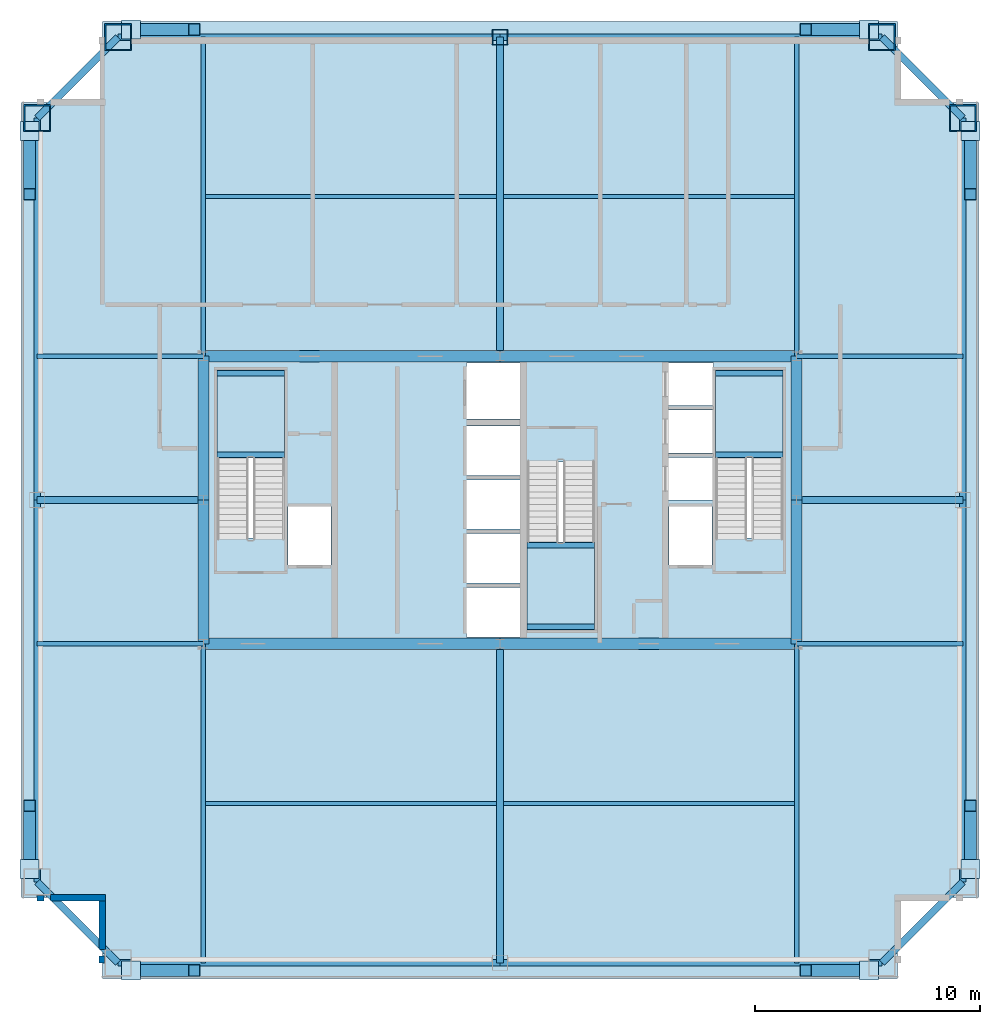
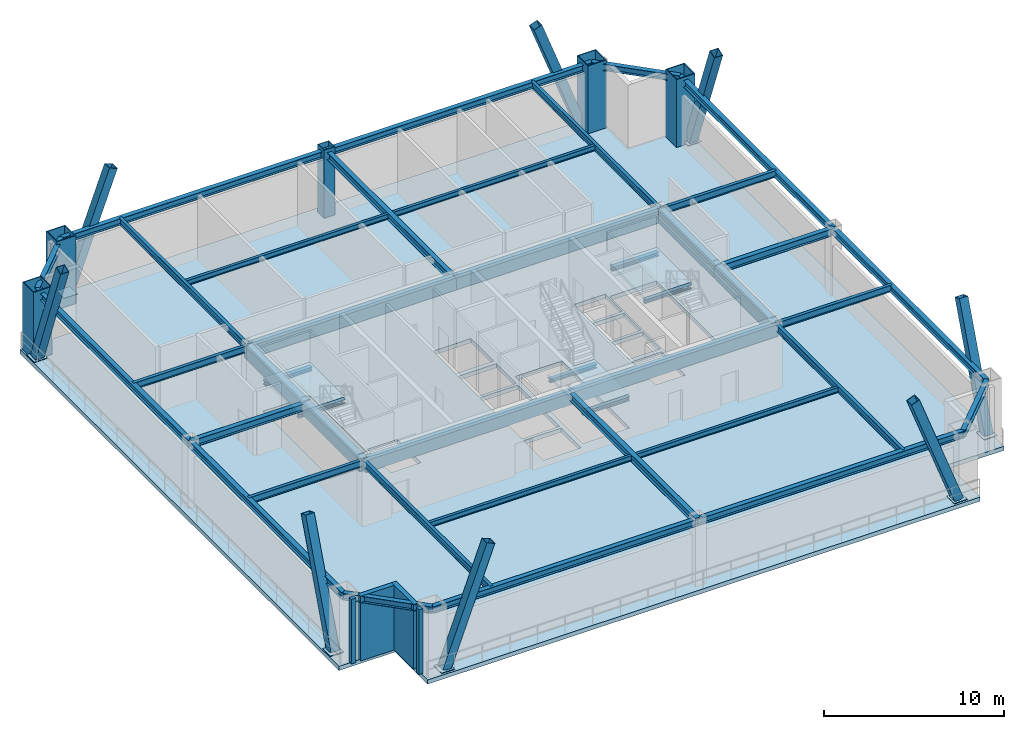
# One storey, part 2 of 8: 42 beams, 8 members, 8 plates, 5 columns, 4 slabs, 4 walls, 3 elements without a shape of their own.
"""IFC4 building model written with IfcOpenShell, lengths in metres."""

from ifc_helpers import new_model, si_unit, direction, frame, frame_2d, origin, origin_2d, place, context, subcontext, project, spatial, polyline, rectangle, hollow_rectangle, i_section, outline, extrude, source, transform, mapped, material, layer, layer_set, material_profile, profile_set, type_object, element, aggregate, save


model = new_model("IFC4")

# Units and contexts
model_context = context("Model", 3, precision=1e-05, world=origin(), true_north=direction((0.0, 1.0)))
body_context = subcontext(model_context, "Body", "Model", "MODEL_VIEW")
ifc_project = project(units=[si_unit("LENGTHUNIT", "METRE"), si_unit("AREAUNIT", "SQUARE_METRE"), si_unit("VOLUMEUNIT", "CUBIC_METRE"), si_unit("PLANEANGLEUNIT", "RADIAN"), si_unit("MASSUNIT", "GRAM", prefix="KILO"), si_unit("THERMODYNAMICTEMPERATUREUNIT", "KELVIN"), si_unit("POWERUNIT", "WATT")], contexts=[model_context])

# Site, building, storey
site_placement = place(None, origin())
site = spatial("IfcSite", under=ifc_project, at=site_placement, CompositionType="ELEMENT")
building_placement = place(site_placement, origin())
building = spatial("IfcBuilding", under=site, at=building_placement, Name="Yuzanri Waterfront Tower", CompositionType="ELEMENT")
storey_placement = place(building_placement, frame((0.0, 0.0, 263.5)))
storey = spatial("IfcBuildingStorey", under=building, at=storey_placement, Name="L70", CompositionType="ELEMENT", Elevation=263.5)

# Columns
ifc_material_1 = material(Name="Steel Q390GJC", Category="steel")
ifc_material_profile_1 = material_profile(ifc_material_1, hollow_rectangle(XDim=1.199951171875, YDim=1.199951171875, WallThickness=0.054931640625, at=origin_2d()), Name="RHS 1200x1200x55")
ifc_profile_set_1 = profile_set([ifc_material_profile_1], Name="Steel Q390GJC")
column_type_1 = type_object("IfcColumnType", Name="Mega Column Q390GJC RHS 1200x1200x55", PredefinedType="COLUMN", material=ifc_profile_set_1)
shared_shape_1 = source(origin(), body_context, "Body", "SweptSolid", [
    extrude(hollow_rectangle(XDim=1.199951171875, YDim=1.199951171875, WallThickness=0.054931640625, at=origin_2d()), origin(), (0.0, 0.0, 1.0), 4.60009765625),
])
for number, where, z_axis, x_axis, name in (
    (1, (20.0, 46.39990234375, 0.0), (0.0, 0.0, 1.0), (1.0, 0.0, 0.0), "L70 Perimeter Mega Column N1"),
    (2, (54.0, 46.39990234375, 0.0), (0.0, 0.0, 1.0), (1.0, 0.0, 0.0), "L70 Perimeter Mega Column N3"),
    (3, (16.39990234375, 42.800048828125, 0.0), (0.0, 0.0, 1.0), (1.0, 0.0, 0.0), "L70 Perimeter Mega Column W3"),
    (4, (57.60009765625, 42.800048828125, 0.0), (0.0, 0.0, 1.0), (1.0, 0.0, 0.0), "L70 Perimeter Mega Column E3"),
):
    element("IfcColumn", number, at=place(storey_placement, frame(where, z_axis=z_axis, x_axis=x_axis)), inside=storey, type_object=column_type_1, Name=name, PredefinedType="COLUMN", context=body_context, shape_type="MappedRepresentation", body=[
        mapped(shared_shape_1, transform((0.0, 0.0, 0.0), scale=1.0)),
    ])
ifc_material_2 = material(Name="Steel Q355B", Category="steel")
ifc_material_profile_2 = material_profile(ifc_material_2, hollow_rectangle(XDim=0.699951171875, YDim=0.699951171875, WallThickness=0.031982421875, at=origin_2d()), Name="RHS 700x700x32")
ifc_profile_set_2 = profile_set([ifc_material_profile_2], Name="Steel Q355B")
column_type_2 = type_object("IfcColumnType", Name="Frame Column Q355B RHS 700x700x32", PredefinedType="COLUMN", material=ifc_profile_set_2)
shared_shape_2 = source(origin(), body_context, "Body", "SweptSolid", [
    extrude(hollow_rectangle(XDim=0.699951171875, YDim=0.699951171875, WallThickness=0.031982421875, at=origin_2d()), origin(), (0.0, 0.0, 1.0), 4.60009765625),
])
column_placement = place(storey_placement, frame((37.0, 46.39990234375, 0.0), z_axis=(0.0, 0.0, 1.0), x_axis=(1.0, 0.0, 0.0)))
element("IfcColumn", 5, at=column_placement, inside=storey, type_object=column_type_2, Name="L70 Perimeter Frame Column N2", PredefinedType="COLUMN", context=body_context, shape_type="MappedRepresentation", body=[
    mapped(shared_shape_2, transform((0.0, 0.0, 0.0), scale=1.0)),
])

# Beams
ifc_material_3 = material(Name="Steel Q355B", Category="steel")
ifc_material_profile_3 = material_profile(ifc_material_3, i_section(OverallWidth=0.300048828125, OverallDepth=0.43994140625, WebThickness=0.010986328125, FlangeThickness=0.01806640625, at=origin_2d()), Name="HM 440x300x11x18")
ifc_profile_set_3 = profile_set([ifc_material_profile_3], Name="Steel Q355B")
beam_type_1 = type_object("IfcBeamType", Name="Perimeter Spandrel Q355B HM 440x300", PredefinedType="SPANDREL", material=ifc_profile_set_3)
shared_shape_3 = source(origin(), body_context, "Body", "SweptSolid", [
    extrude(i_section(OverallWidth=0.300048828125, OverallDepth=0.43994140625, WebThickness=0.010986328125, FlangeThickness=0.01806640625, at=origin_2d()), origin(), (0.0, 0.0, 1.0), 5.09130859375),
])
for number, where, z_axis, x_axis, name in (
    (6, (54.0, 5.199951171875, 4.159912109375), (0.707106781187, 0.707106781187, 0.0), (-0.707106781187, 0.707106781187, 0.0), "L70 Perimeter Spandrel S3-E1"),
    (7, (16.39990234375, 8.800048828125, 4.159912109375), (0.707106781187, -0.707106781187, 0.0), (0.707106781187, 0.707106781187, 0.0), "L70 Perimeter Spandrel W1-S1"),
):
    element("IfcBeam", number, at=place(storey_placement, frame(where, z_axis=z_axis, x_axis=x_axis)), inside=storey, type_object=beam_type_1, Name=name, PredefinedType="SPANDREL", context=body_context, shape_type="MappedRepresentation", body=[
        mapped(shared_shape_3, transform((0.0, 0.0, 0.0), scale=1.0)),
    ])
shared_shape_4 = source(origin(), body_context, "Body", "SweptSolid", [
    extrude(i_section(OverallWidth=0.300048828125, OverallDepth=0.43994140625, WebThickness=0.010986328125, FlangeThickness=0.01806640625, at=origin_2d()), origin(), (0.0, 0.0, 1.0), 5.091064453125),
])
for number, where, z_axis, x_axis, name in (
    (8, (57.60009765625, 42.800048828125, 4.159912109375), (-0.707130757816, 0.707082803744, 0.0), (-0.707082803744, -0.707130757816, 0.0), "L70 Perimeter Spandrel E3-N3"),
    (9, (20.0, 46.39990234375, 4.159912109375), (-0.707130757816, -0.707082803744, 0.0), (0.707082803744, -0.707130757816, 0.0), "L70 Perimeter Spandrel N1-W3"),
):
    element("IfcBeam", number, at=place(storey_placement, frame(where, z_axis=z_axis, x_axis=x_axis)), inside=storey, type_object=beam_type_1, Name=name, PredefinedType="SPANDREL", context=body_context, shape_type="MappedRepresentation", body=[
        mapped(shared_shape_4, transform((0.0, 0.0, 0.0), scale=1.0)),
    ])
ifc_material_4 = material(Name="Concrete C50", Category="concrete")
ifc_material_profile_4 = material_profile(ifc_material_4, rectangle(XDim=0.5, YDim=0.800048828125, at=origin_2d()), Name="RC 500x800")
ifc_profile_set_4 = profile_set([ifc_material_profile_4], Name="Concrete C50")
beam_type_2 = type_object("IfcBeamType", Name="Core Coupling Lintel Concrete C50 500x800", PredefinedType="LINTEL", material=ifc_profile_set_4)
shared_shape_5 = source(origin(), body_context, "Body", "SweptSolid", [
    extrude(rectangle(XDim=0.5, YDim=0.800048828125, at=origin_2d()), origin(), (0.0, 0.0, 1.0), 13.199951171875),
])
for number, where, z_axis, x_axis, name in (
    (10, (23.800048828125, 19.39990234375, 3.97998046875), (1.0, 0.0, 0.0), (0.0, 1.0, 0.0), "L70 Core Tie Beam CS1"),
    (11, (37.0, 19.39990234375, 3.97998046875), (1.0, 0.0, 0.0), (0.0, 1.0, 0.0), "L70 Core Tie Beam CS2"),
    (12, (23.800048828125, 32.199951171875, 3.97998046875), (1.0, 0.0, 0.0), (0.0, 1.0, 0.0), "L70 Core Tie Beam CN1"),
    (13, (37.0, 32.199951171875, 3.97998046875), (1.0, 0.0, 0.0), (0.0, 1.0, 0.0), "L70 Core Tie Beam CN2"),
):
    element("IfcBeam", number, at=place(storey_placement, frame(where, z_axis=z_axis, x_axis=x_axis)), inside=storey, type_object=beam_type_2, Name=name, PredefinedType="LINTEL", context=body_context, shape_type="MappedRepresentation", body=[
        mapped(shared_shape_5, transform((0.0, 0.0, 0.0), scale=1.0)),
    ])
shared_shape_6 = source(origin(), body_context, "Body", "SweptSolid", [
    extrude(rectangle(XDim=0.5, YDim=0.800048828125, at=origin_2d()), origin(), (0.0, 0.0, 1.0), 6.400146484375),
])
for number, where, z_axis, x_axis, name in (
    (14, (23.800048828125, 19.39990234375, 3.97998046875), (0.0, 1.0, 0.0), (-1.0, 0.0, 0.0), "L70 Core Tie Beam CW1"),
    (15, (50.199951171875, 19.39990234375, 3.97998046875), (0.0, 1.0, 0.0), (-1.0, 0.0, 0.0), "L70 Core Tie Beam CE1"),
):
    element("IfcBeam", number, at=place(storey_placement, frame(where, z_axis=z_axis, x_axis=x_axis)), inside=storey, type_object=beam_type_2, Name=name, PredefinedType="LINTEL", context=body_context, shape_type="MappedRepresentation", body=[
        mapped(shared_shape_6, transform((0.0, 0.0, 0.0), scale=1.0)),
    ])
shared_shape_7 = source(origin(), body_context, "Body", "SweptSolid", [
    extrude(rectangle(XDim=0.5, YDim=0.800048828125, at=origin_2d()), origin(), (0.0, 0.0, 1.0), 6.39990234375),
])
for number, where, z_axis, x_axis, name in (
    (16, (23.800048828125, 25.800048828125, 3.97998046875), (0.0, 1.0, 0.0), (-1.0, 0.0, 0.0), "L70 Core Tie Beam CW2"),
    (17, (50.199951171875, 25.800048828125, 3.97998046875), (0.0, 1.0, 0.0), (-1.0, 0.0, 0.0), "L70 Core Tie Beam CE2"),
):
    element("IfcBeam", number, at=place(storey_placement, frame(where, z_axis=z_axis, x_axis=x_axis)), inside=storey, type_object=beam_type_2, Name=name, PredefinedType="LINTEL", context=body_context, shape_type="MappedRepresentation", body=[
        mapped(shared_shape_7, transform((0.0, 0.0, 0.0), scale=1.0)),
    ])
shared_shape_8 = source(origin(), body_context, "Body", "SweptSolid", [
    extrude(i_section(OverallWidth=0.300048828125, OverallDepth=0.43994140625, WebThickness=0.010986328125, FlangeThickness=0.01806640625, at=origin_2d()), origin(), (0.0, 0.0, 1.0), 17.0),
])
for number, where, z_axis, x_axis, name in (
    (18, (20.0, 5.199951171875, 4.159912109375), (1.0, 0.0, 0.0), (0.0, 1.0, 0.0), "L70 Perimeter Spandrel S1-S2"),
    (19, (37.0, 5.199951171875, 4.159912109375), (1.0, 0.0, 0.0), (0.0, 1.0, 0.0), "L70 Perimeter Spandrel S2-S3"),
    (20, (57.60009765625, 8.800048828125, 4.159912109375), (0.0, 1.0, 0.0), (-1.0, 0.0, 0.0), "L70 Perimeter Spandrel E1-E2"),
    (21, (57.60009765625, 25.800048828125, 4.159912109375), (0.0, 1.0, 0.0), (-1.0, 0.0, 0.0), "L70 Perimeter Spandrel E2-E3"),
    (22, (54.0, 46.39990234375, 4.159912109375), (-1.0, 0.0, 0.0), (0.0, -1.0, 0.0), "L70 Perimeter Spandrel N3-N2"),
    (23, (37.0, 46.39990234375, 4.159912109375), (-1.0, 0.0, 0.0), (0.0, -1.0, 0.0), "L70 Perimeter Spandrel N2-N1"),
    (24, (16.39990234375, 42.800048828125, 4.159912109375), (0.0, -1.0, 0.0), (1.0, 0.0, 0.0), "L70 Perimeter Spandrel W3-W2"),
    (25, (16.39990234375, 25.800048828125, 4.159912109375), (0.0, -1.0, 0.0), (1.0, 0.0, 0.0), "L70 Perimeter Spandrel W2-W1"),
):
    element("IfcBeam", number, at=place(storey_placement, frame(where, z_axis=z_axis, x_axis=x_axis)), inside=storey, type_object=beam_type_1, Name=name, PredefinedType="SPANDREL", context=body_context, shape_type="MappedRepresentation", body=[
        mapped(shared_shape_8, transform((0.0, 0.0, 0.0), scale=1.0)),
    ])
ifc_material_5 = material(Name="Steel Q355B", Category="steel")
ifc_material_profile_5 = material_profile(ifc_material_5, i_section(OverallWidth=0.300048828125, OverallDepth=0.488037109375, WebThickness=0.010986328125, FlangeThickness=0.01806640625, at=origin_2d()), Name="HM 488x300x11x18")
ifc_profile_set_5 = profile_set([ifc_material_profile_5], Name="Steel Q355B")
beam_type_3 = type_object("IfcBeamType", Name="Primary Floor Girder Q355B HM 488x300", PredefinedType="BEAM", material=ifc_profile_set_5)
shared_shape_9 = source(origin(), body_context, "Body", "SweptSolid", [
    extrude(i_section(OverallWidth=0.300048828125, OverallDepth=0.488037109375, WebThickness=0.010986328125, FlangeThickness=0.01806640625, at=origin_2d()), origin(), (0.0, 0.0, 1.0), 14.199951171875),
])
for number, where, z_axis, x_axis, name in (
    (26, (37.0, 19.39990234375, 4.135986328125), (0.0, -1.0, 0.0), (1.0, 0.0, 0.0), "L70 South Grid Girder"),
    (27, (37.0, 32.199951171875, 4.135986328125), (0.0, 1.0, 0.0), (-1.0, 0.0, 0.0), "L70 North Grid Girder"),
):
    element("IfcBeam", number, at=place(storey_placement, frame(where, z_axis=z_axis, x_axis=x_axis)), inside=storey, type_object=beam_type_3, Name=name, PredefinedType="BEAM", context=body_context, shape_type="MappedRepresentation", body=[
        mapped(shared_shape_9, transform((0.0, 0.0, 0.0), scale=1.0)),
    ])
shared_shape_10 = source(origin(), body_context, "Body", "SweptSolid", [
    extrude(i_section(OverallWidth=0.300048828125, OverallDepth=0.488037109375, WebThickness=0.010986328125, FlangeThickness=0.01806640625, at=origin_2d()), origin(), (0.0, 0.0, 1.0), 7.400146484375),
])
for number, where, z_axis, x_axis, name in (
    (28, (23.800048828125, 25.800048828125, 4.135986328125), (-1.0, 0.0, 0.0), (0.0, -1.0, 0.0), "L70 West Grid Girder"),
    (29, (50.199951171875, 25.800048828125, 4.135986328125), (1.0, 0.0, 0.0), (0.0, 1.0, 0.0), "L70 East Grid Girder"),
):
    element("IfcBeam", number, at=place(storey_placement, frame(where, z_axis=z_axis, x_axis=x_axis)), inside=storey, type_object=beam_type_3, Name=name, PredefinedType="BEAM", context=body_context, shape_type="MappedRepresentation", body=[
        mapped(shared_shape_10, transform((0.0, 0.0, 0.0), scale=1.0)),
    ])
ifc_material_6 = material(Name="Steel Q355B", Category="steel")
ifc_material_profile_6 = material_profile(ifc_material_6, i_section(OverallWidth=0.199951171875, OverallDepth=0.449951171875, WebThickness=0.009033203125, FlangeThickness=0.013916015625, at=origin_2d()), Name="HN 450x200x9x14")
ifc_profile_set_6 = profile_set([ifc_material_profile_6], Name="Steel Q355B")
beam_type_4 = type_object("IfcBeamType", Name="Secondary Floor Beam Q355B HN 450x200", PredefinedType="BEAM", material=ifc_profile_set_6)
shared_shape_11 = source(origin(), body_context, "Body", "SweptSolid", [
    extrude(i_section(OverallWidth=0.199951171875, OverallDepth=0.449951171875, WebThickness=0.009033203125, FlangeThickness=0.013916015625, at=origin_2d()), origin(), (0.0, 0.0, 1.0), 14.199951171875),
])
for number, where, z_axis, x_axis, name in (
    (30, (23.800048828125, 19.39990234375, 4.155029296875), (0.0, -1.0, 0.0), (1.0, 0.0, 0.0), "L70 South-West Core Line Beam"),
    (31, (50.199951171875, 19.39990234375, 4.155029296875), (0.0, -1.0, 0.0), (1.0, 0.0, 0.0), "L70 South-East Core Line Beam"),
    (32, (23.800048828125, 32.199951171875, 4.155029296875), (0.0, 1.0, 0.0), (-1.0, 0.0, 0.0), "L70 North-West Core Line Beam"),
    (33, (50.199951171875, 32.199951171875, 4.155029296875), (0.0, 1.0, 0.0), (-1.0, 0.0, 0.0), "L70 North-East Core Line Beam"),
):
    element("IfcBeam", number, at=place(storey_placement, frame(where, z_axis=z_axis, x_axis=x_axis)), inside=storey, type_object=beam_type_4, Name=name, PredefinedType="BEAM", context=body_context, shape_type="MappedRepresentation", body=[
        mapped(shared_shape_11, transform((0.0, 0.0, 0.0), scale=1.0)),
    ])
shared_shape_12 = source(origin(), body_context, "Body", "SweptSolid", [
    extrude(i_section(OverallWidth=0.199951171875, OverallDepth=0.449951171875, WebThickness=0.009033203125, FlangeThickness=0.013916015625, at=origin_2d()), origin(), (0.0, 0.0, 1.0), 7.400146484375),
])
for number, where, z_axis, x_axis, name in (
    (34, (23.800048828125, 19.39990234375, 4.155029296875), (-1.0, 0.0, 0.0), (0.0, -1.0, 0.0), "L70 West-South Core Line Beam"),
    (35, (23.800048828125, 32.199951171875, 4.155029296875), (-1.0, 0.0, 0.0), (0.0, -1.0, 0.0), "L70 West-North Core Line Beam"),
    (36, (50.199951171875, 19.39990234375, 4.155029296875), (1.0, 0.0, 0.0), (0.0, 1.0, 0.0), "L70 East-South Core Line Beam"),
    (37, (50.199951171875, 32.199951171875, 4.155029296875), (1.0, 0.0, 0.0), (0.0, 1.0, 0.0), "L70 East-North Core Line Beam"),
):
    element("IfcBeam", number, at=place(storey_placement, frame(where, z_axis=z_axis, x_axis=x_axis)), inside=storey, type_object=beam_type_4, Name=name, PredefinedType="BEAM", context=body_context, shape_type="MappedRepresentation", body=[
        mapped(shared_shape_12, transform((0.0, 0.0, 0.0), scale=1.0)),
    ])
ifc_material_7 = material(Name="Steel Q355B", Category="steel")
ifc_material_profile_7 = material_profile(ifc_material_7, i_section(OverallWidth=0.175048828125, OverallDepth=0.35009765625, WebThickness=0.007080078125, FlangeThickness=0.010986328125, at=origin_2d()), Name="HN 350x175x7x11")
ifc_profile_set_7 = profile_set([ifc_material_profile_7], Name="Steel Q355B")
beam_type_5 = type_object("IfcBeamType", Name="Floor Joist Q355B HN 350x175", PredefinedType="JOIST", material=ifc_profile_set_7)
shared_shape_13 = source(origin(), body_context, "Body", "SweptSolid", [
    extrude(i_section(OverallWidth=0.175048828125, OverallDepth=0.35009765625, WebThickness=0.007080078125, FlangeThickness=0.010986328125, at=origin_2d()), origin(), (0.0, 0.0, 1.0), 12.9501953125),
])
for number, where, z_axis, x_axis, name in (
    (38, (23.89990234375, 12.300048828125, 4.205078125), (1.0, 0.0, 0.0), (0.0, 1.0, 0.0), "L70 South Bay Joist W"),
    (39, (37.14990234375, 12.300048828125, 4.205078125), (1.0, 0.0, 0.0), (0.0, 1.0, 0.0), "L70 South Bay Joist E"),
    (40, (23.89990234375, 39.300048828125, 4.205078125), (1.0, 0.0, 0.0), (0.0, 1.0, 0.0), "L70 North Bay Joist W"),
    (41, (37.14990234375, 39.300048828125, 4.205078125), (1.0, 0.0, 0.0), (0.0, 1.0, 0.0), "L70 North Bay Joist E"),
):
    element("IfcBeam", number, at=place(storey_placement, frame(where, z_axis=z_axis, x_axis=x_axis)), inside=storey, type_object=beam_type_5, Name=name, PredefinedType="JOIST", context=body_context, shape_type="MappedRepresentation", body=[
        mapped(shared_shape_13, transform((0.0, 0.0, 0.0), scale=1.0)),
    ])

# Members
ifc_material_8 = material(Name="Steel Q390GJC", Category="steel")
ifc_material_profile_8 = material_profile(ifc_material_8, hollow_rectangle(XDim=0.550048828125, YDim=0.550048828125, WallThickness=0.02490234375, at=origin_2d()), Name="RHS 550x550x25")
ifc_profile_set_8 = profile_set([ifc_material_profile_8], Name="Steel Q390GJC")
member_type = type_object("IfcMemberType", Name="Mega Brace Mid Q390GJC RHS 550x550x25", PredefinedType="BRACE", material=ifc_profile_set_8)
shared_shape_14 = source(origin(), body_context, "Body", "SweptSolid", [
    extrude(hollow_rectangle(XDim=0.550048828125, YDim=0.550048828125, WallThickness=0.02490234375, at=origin_2d()), origin(), (0.0, 0.0, 1.0), 8.1064453125),
])
for number, where, z_axis, x_axis, name in (
    (42, (20.580078125, 4.860107421875, 0.179931640625), (0.347853792424, 0.0, 0.937548792915), (0.0, 1.0, 0.0), "L70-L71 Perimeter Mega-Brace S-L"),
    (43, (53.419921875, 4.860107421875, 0.179931640625), (-0.347853792424, 0.0, 0.937548792915), (0.0, -1.0, 0.0), "L70-L71 Perimeter Mega-Brace S-R"),
    (44, (20.580078125, 46.739990234375, 0.179931640625), (0.347853792424, 0.0, 0.937548792915), (0.0, 1.0, 0.0), "L70-L71 Perimeter Mega-Brace N-L"),
    (45, (53.419921875, 46.739990234375, 0.179931640625), (-0.347853792424, 0.0, 0.937548792915), (0.0, -1.0, 0.0), "L70-L71 Perimeter Mega-Brace N-R"),
    (46, (16.06005859375, 9.3798828125, 0.179931640625), (0.0, 0.347880264969, 0.937538970521), (-1.0, 0.0, 0.0), "L70-L71 Perimeter Mega-Brace W-L"),
    (47, (16.06005859375, 42.219970703125, 0.179931640625), (0.0, -0.347880264969, 0.937538970521), (1.0, 0.0, 0.0), "L70-L71 Perimeter Mega-Brace W-R"),
    (48, (57.93994140625, 9.3798828125, 0.179931640625), (0.0, 0.347880264969, 0.937538970521), (-1.0, 0.0, 0.0), "L70-L71 Perimeter Mega-Brace E-L"),
    (49, (57.93994140625, 42.219970703125, 0.179931640625), (0.0, -0.347880264969, 0.937538970521), (1.0, 0.0, 0.0), "L70-L71 Perimeter Mega-Brace E-R"),
):
    element("IfcMember", number, at=place(storey_placement, frame(where, z_axis=z_axis, x_axis=x_axis)), inside=storey, type_object=member_type, Name=name, PredefinedType="BRACE", context=body_context, shape_type="MappedRepresentation", body=[
        mapped(shared_shape_14, transform((0.0, 0.0, 0.0), scale=1.0)),
    ])

# Beams
ifc_material_9 = material(Name="Steel Q355B", Category="steel")
ifc_material_profile_9 = material_profile(ifc_material_9, i_section(OverallWidth=0.25, OverallDepth=0.25, WebThickness=0.009033203125, FlangeThickness=0.013916015625, at=origin_2d()), Name="HW 250x250x9x14")
ifc_profile_set_9 = profile_set([ifc_material_profile_9], Name="Steel Q355B")
beam_type_6 = type_object("IfcBeamType", Name="Stair Landing Support Beam Q355B HW 250x250", PredefinedType="BEAM", material=ifc_profile_set_9)
shared_shape_15 = source(origin(), body_context, "Body", "SweptSolid", [
    extrude(i_section(OverallWidth=0.25, OverallDepth=0.25, WebThickness=0.009033203125, FlangeThickness=0.013916015625, at=origin_2d()), origin(), (0.0, 0.0, 1.0), 3.0),
])
for number, where, z_axis, x_axis, name in (
    (50, (24.39990234375, 27.81005859375, 1.97509765625), (1.0, 0.0, 0.0), (0.0, 1.0, 0.0), "L70 Stair Landing Support Beam ST-01-L70-L1-1"),
    (51, (24.39990234375, 31.449951171875, 1.97509765625), (1.0, 0.0, 0.0), (0.0, 1.0, 0.0), "L70 Stair Landing Support Beam ST-01-L70-L1-2"),
    (52, (46.60009765625, 27.81005859375, 1.97509765625), (1.0, 0.0, 0.0), (0.0, 1.0, 0.0), "L70 Stair Landing Support Beam ST-02-L70-L1-1"),
    (53, (46.60009765625, 31.449951171875, 1.97509765625), (1.0, 0.0, 0.0), (0.0, 1.0, 0.0), "L70 Stair Landing Support Beam ST-02-L70-L1-2"),
    (54, (38.199951171875, 20.14990234375, 1.97509765625), (1.0, 0.0, 0.0), (0.0, 1.0, 0.0), "L70 Stair Landing Support Beam ST-03-L70-L1-1"),
    (55, (38.199951171875, 23.7900390625, 1.97509765625), (1.0, 0.0, 0.0), (0.0, 1.0, 0.0), "L70 Stair Landing Support Beam ST-03-L70-L1-2"),
):
    element("IfcBeam", number, at=place(storey_placement, frame(where, z_axis=z_axis, x_axis=x_axis)), inside=storey, type_object=beam_type_6, Name=name, PredefinedType="BEAM", context=body_context, shape_type="MappedRepresentation", body=[
        mapped(shared_shape_15, transform((0.0, 0.0, 0.0), scale=1.0)),
    ])

# Stair, slab
ifc_material_10 = material(Name="Concrete C40", Category="concrete")
stair_type = type_object("IfcStairType", Name="Concrete C40 Core Dogleg Exit Stair", PredefinedType="HALF_TURN_STAIR", material=ifc_material_10)
stair_1_placement = place(storey_placement, origin())
stair_1 = element("IfcStair", 56, at=stair_1_placement, inside=storey, type_object=stair_type, Name="L70 Smoke-Proof Core Stair ST-01", PredefinedType="HALF_TURN_STAIR")
ifc_material_11 = material(Name="Concrete C40", Category="concrete")
ifc_layer_1 = layer(ifc_material_11, 0.179931640625)
ifc_layer_set_1 = layer_set([ifc_layer_1], Name="Concrete C40")
slab_type_1 = type_object("IfcSlabType", Name="Concrete C40 Stair Half-Landing Slab 180", PredefinedType="LANDING", material=ifc_layer_set_1)
slab_1_placement = place(storey_placement, frame((0.0, 0.0, 2.10009765625)))
slab_1 = element("IfcSlab", 57, at=slab_1_placement, type_object=slab_type_1, Name="ST-01 landing 1", PredefinedType="LANDING", context=body_context, shape_type="SweptSolid", body=[
    extrude(outline(polyline([(27.39990234375, 27.679931640625), (27.39990234375, 31.580078125), (24.39990234375, 31.580078125), (24.39990234375, 27.679931640625), (27.39990234375, 27.679931640625)])), origin(), (0.0, 0.0, 1.0), 0.199951171875),
])
aggregate(stair_1, [slab_1])

stair_2_placement = place(storey_placement, origin())
stair_2 = element("IfcStair", 58, at=stair_2_placement, inside=storey, type_object=stair_type, Name="L70 Smoke-Proof Core Stair ST-02", PredefinedType="HALF_TURN_STAIR")
slab_2_placement = place(storey_placement, frame((0.0, 0.0, 2.10009765625)))
slab_2 = element("IfcSlab", 59, at=slab_2_placement, type_object=slab_type_1, Name="ST-02 landing 1", PredefinedType="LANDING", context=body_context, shape_type="SweptSolid", body=[
    extrude(outline(polyline([(49.60009765625, 27.679931640625), (49.60009765625, 31.580078125), (46.60009765625, 31.580078125), (46.60009765625, 27.679931640625), (49.60009765625, 27.679931640625)])), origin(), (0.0, 0.0, 1.0), 0.199951171875),
])
aggregate(stair_2, [slab_2])

stair_3_placement = place(storey_placement, origin())
stair_3 = element("IfcStair", 60, at=stair_3_placement, inside=storey, type_object=stair_type, Name="L70 Smoke-Proof Core Stair ST-03", PredefinedType="HALF_TURN_STAIR")
slab_3_placement = place(storey_placement, frame((0.0, 0.0, 2.10009765625)))
slab_3 = element("IfcSlab", 61, at=slab_3_placement, type_object=slab_type_1, Name="ST-03 landing 1", PredefinedType="LANDING", context=body_context, shape_type="SweptSolid", body=[
    extrude(outline(polyline([(38.199951171875, 23.919921875), (38.199951171875, 20.02001953125), (41.199951171875, 20.02001953125), (41.199951171875, 23.919921875), (38.199951171875, 23.919921875)])), origin(), (0.0, 0.0, 1.0), 0.199951171875),
])
aggregate(stair_3, [slab_3])

# Slab
ifc_material_12 = material(Name="Concrete C45", Category="concrete")
ifc_layer_2 = layer(ifc_material_12, 0.280029296875)
ifc_layer_set_2 = layer_set([ifc_layer_2], Name="Concrete C45")
slab_type_2 = type_object("IfcSlabType", Name="Concrete C45 Podium and Refuge Structural Floor Slab 280", PredefinedType="FLOOR", material=ifc_layer_set_2)
slab_4_placement = place(storey_placement, frame((0.0, 0.0, -0.280029296875)))
element("IfcSlab", 62, at=slab_4_placement, inside=storey, type_object=slab_type_2, Name="L70 Main Structural Floor Slab", PredefinedType="FLOOR", context=body_context, shape_type="SweptSolid", body=[
    extrude(outline(polyline([(19.300048828125, 4.5), (54.699951171875, 4.5), (54.699951171875, 8.10009765625), (58.300048828125, 8.10009765625), (58.300048828125, 43.5), (54.699951171875, 43.5), (54.699951171875, 47.10009765625), (19.300048828125, 47.10009765625), (19.300048828125, 43.5), (15.699951171875, 43.5), (15.699951171875, 8.10009765625), (19.300048828125, 8.10009765625), (19.300048828125, 4.5)]), holes=[polyline([(27.39990234375, 24.10009765625), (27.39990234375, 31.580078125), (24.39990234375, 31.580078125), (24.39990234375, 24.10009765625), (27.39990234375, 24.10009765625)]), polyline([(49.60009765625, 24.10009765625), (49.60009765625, 31.580078125), (46.60009765625, 31.580078125), (46.60009765625, 24.10009765625), (49.60009765625, 24.10009765625)]), polyline([(38.199951171875, 27.5), (38.199951171875, 20.02001953125), (41.199951171875, 20.02001953125), (41.199951171875, 27.5), (38.199951171875, 27.5)]), polyline([(27.56005859375, 22.89990234375), (29.47998046875, 22.89990234375), (29.47998046875, 25.5), (27.56005859375, 25.5), (27.56005859375, 22.89990234375)]), polyline([(44.52001953125, 22.89990234375), (46.43994140625, 22.89990234375), (46.43994140625, 25.5), (44.52001953125, 25.5), (44.52001953125, 22.89990234375)]), polyline([(35.5, 19.699951171875), (37.89990234375, 19.699951171875), (37.89990234375, 21.89990234375), (35.5, 21.89990234375), (35.5, 19.699951171875)]), polyline([(35.5, 22.10009765625), (37.89990234375, 22.10009765625), (37.89990234375, 24.300048828125), (35.5, 24.300048828125), (35.5, 22.10009765625)]), polyline([(35.5, 24.5), (37.89990234375, 24.5), (37.89990234375, 26.699951171875), (35.5, 26.699951171875), (35.5, 24.5)]), polyline([(35.5, 26.89990234375), (37.89990234375, 26.89990234375), (37.89990234375, 29.10009765625), (35.5, 29.10009765625), (35.5, 26.89990234375)]), polyline([(35.5, 29.39990234375), (37.89990234375, 29.39990234375), (37.89990234375, 31.89990234375), (35.5, 31.89990234375), (35.5, 29.39990234375)]), polyline([(44.5, 25.800048828125), (46.5, 25.800048828125), (46.5, 27.699951171875), (44.5, 27.699951171875), (44.5, 25.800048828125)]), polyline([(44.5, 27.89990234375), (46.5, 27.89990234375), (46.5, 29.800048828125), (44.5, 29.800048828125), (44.5, 27.89990234375)]), polyline([(44.5, 30.0), (46.5, 30.0), (46.5, 31.89990234375), (44.5, 31.89990234375), (44.5, 30.0)])]), origin(), (0.0, 0.0, 1.0), 0.280029296875),
])

# Plates
ifc_material_13 = material(Name="Steel Q420GJC", Category="steel")
ifc_layer_3 = layer(ifc_material_13, 0.0400390625)
ifc_layer_set_3 = layer_set([ifc_layer_3], Name="Steel Q420GJC")
plate_type = type_object("IfcPlateType", Name="Steel Q420GJC Mega-Brace Gusset and End-Cap Plate 40", PredefinedType="SHEET", material=ifc_layer_set_3)
shared_shape_16 = source(origin(), body_context, "Body", "SweptSolid", [
    extrude(rectangle(XDim=0.85009765625, YDim=0.85009765625, at=origin_2d()), origin(), (0.0, 0.0, 1.0), 0.0400390625),
])
for number, where, z_axis, x_axis, name in (
    (63, (20.580078125, 4.860107421875, 0.159912109375), (0.0, 0.0, 1.0), (1.0, 0.0, 0.0), "L70 Mega-Brace Foot Cap Plate S-L"),
    (64, (53.419921875, 4.860107421875, 0.159912109375), (0.0, 0.0, 1.0), (1.0, 0.0, 0.0), "L70 Mega-Brace Foot Cap Plate S-R"),
    (65, (20.580078125, 46.739990234375, 0.159912109375), (0.0, 0.0, 1.0), (1.0, 0.0, 0.0), "L70 Mega-Brace Foot Cap Plate N-L"),
    (66, (53.419921875, 46.739990234375, 0.159912109375), (0.0, 0.0, 1.0), (1.0, 0.0, 0.0), "L70 Mega-Brace Foot Cap Plate N-R"),
    (67, (16.06005859375, 9.3798828125, 0.159912109375), (0.0, 0.0, 1.0), (1.0, 0.0, 0.0), "L70 Mega-Brace Foot Cap Plate W-L"),
    (68, (16.06005859375, 42.219970703125, 0.159912109375), (0.0, 0.0, 1.0), (1.0, 0.0, 0.0), "L70 Mega-Brace Foot Cap Plate W-R"),
    (69, (57.93994140625, 9.3798828125, 0.159912109375), (0.0, 0.0, 1.0), (1.0, 0.0, 0.0), "L70 Mega-Brace Foot Cap Plate E-L"),
    (70, (57.93994140625, 42.219970703125, 0.159912109375), (0.0, 0.0, 1.0), (1.0, 0.0, 0.0), "L70 Mega-Brace Foot Cap Plate E-R"),
):
    element("IfcPlate", number, at=place(storey_placement, frame(where, z_axis=z_axis, x_axis=x_axis)), inside=storey, type_object=plate_type, Name=name, PredefinedType="SHEET", context=body_context, shape_type="MappedRepresentation", body=[
        mapped(shared_shape_16, transform((0.0, 0.0, 0.0), scale=1.0)),
    ])

# Walls
ifc_material_14 = material(Name="Honed Chongqing Dark Basalt Stone", Category="masonry")
ifc_layer_4 = layer(ifc_material_14, 0.300048828125)
ifc_layer_set_4 = layer_set([ifc_layer_4], Name="Honed Chongqing Dark Basalt Stone")
wall_type = type_object("IfcWallType", Name="Bronze Rainscreen Insulated Spandrel Portal Wall 300", PredefinedType="SOLIDWALL", material=ifc_layer_set_4)
shared_shape_17 = source(origin(), body_context, "Body", "SweptSolid", [
    extrude(rectangle(XDim=2.449951171875, YDim=0.300048828125, at=frame_2d((1.22509765625, 0.0))), origin(), (0.0, 0.0, 1.0), 4.3798828125),
])
for number, where, z_axis, x_axis, name in (
    (71, (17.0, 8.10009765625, 0.0), (0.0, 0.0, 1.0), (1.0, 0.0, 0.0), "L70 Notched Corner Masonry Wall SW-X"),
    (72, (19.300048828125, 8.25, 0.0), (0.0, 0.0, 1.0), (0.0, -1.0, 0.0), "L70 Notched Corner Masonry Wall SW-Y"),
):
    element("IfcWall", number, at=place(storey_placement, frame(where, z_axis=z_axis, x_axis=x_axis)), inside=storey, type_object=wall_type, Name=name, PredefinedType="SOLIDWALL", context=body_context, shape_type="MappedRepresentation", body=[
        mapped(shared_shape_17, transform((0.0, 0.0, 0.0), scale=1.0)),
    ])
shared_shape_18 = source(origin(), body_context, "Body", "SweptSolid", [
    extrude(rectangle(XDim=0.25, YDim=0.300048828125, at=frame_2d((0.125, 0.0))), origin(), (0.0, 0.0, 1.0), 4.3798828125),
])
for number, where, z_axis, x_axis, name in (
    (73, (19.14990234375, 5.35009765625, 0.0), (0.0, 0.0, 1.0), (1.0, 0.0, 0.0), "L70 Corner Column Shoulder Return CSW"),
    (74, (16.550048828125, 7.949951171875, 0.0), (0.0, 0.0, 1.0), (0.0, 1.0, 0.0), "L70 Corner Column Shoulder Return CWS"),
):
    element("IfcWall", number, at=place(storey_placement, frame(where, z_axis=z_axis, x_axis=x_axis)), inside=storey, type_object=wall_type, Name=name, PredefinedType="SOLIDWALL", context=body_context, shape_type="MappedRepresentation", body=[
        mapped(shared_shape_18, transform((0.0, 0.0, 0.0), scale=1.0)),
    ])

save(model, "model.ifc")
